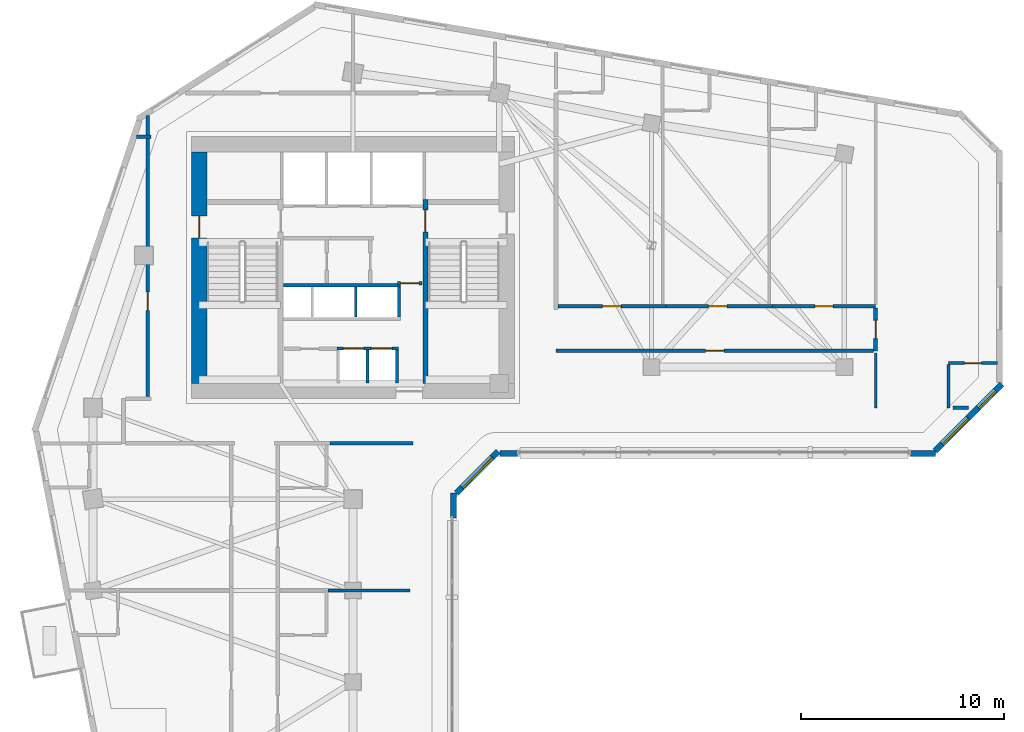
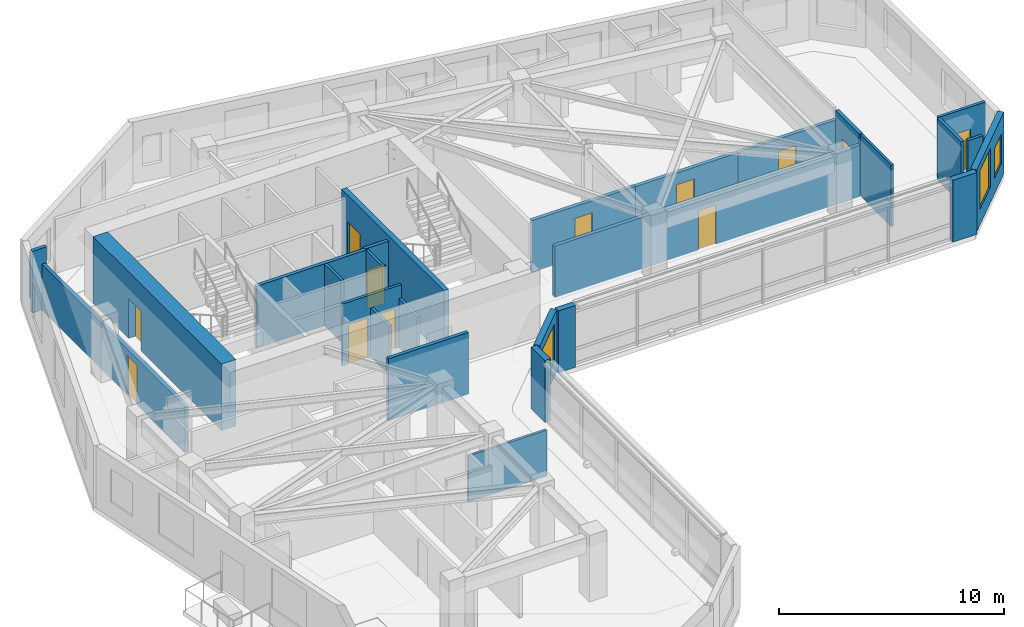
# One storey, part 6 of 11: 27 walls, 12 doors, 3 windows, 15 openings.
"""IFC4 building model written with IfcOpenShell, lengths in metres."""

from ifc_helpers import new_model, si_unit, direction, frame, frame_2d, origin, place, context, subcontext, project, spatial, rectangle, extrude, source, transform, mapped, material, layer, layer_set, type_object, element, fill, save


model = new_model("IFC4")

# Units and contexts
model_context = context("Model", 3, precision=1e-05, world=origin(), true_north=direction((0.0, 1.0)))
body_context = subcontext(model_context, "Body", "Model", "MODEL_VIEW")
ifc_project = project(units=[si_unit("LENGTHUNIT", "METRE"), si_unit("AREAUNIT", "SQUARE_METRE"), si_unit("VOLUMEUNIT", "CUBIC_METRE"), si_unit("PLANEANGLEUNIT", "RADIAN"), si_unit("MASSUNIT", "GRAM", prefix="KILO")], contexts=[model_context])

# Site, building, storey
site_placement = place(None, origin())
site = spatial("IfcSite", under=ifc_project, at=site_placement, CompositionType="ELEMENT")
building_placement = place(site_placement, origin())
building = spatial("IfcBuilding", under=site, at=building_placement, Name="Calvemar Wedge Station Tower", CompositionType="ELEMENT")
storey_placement = place(building_placement, frame((0.0, 0.0, 114.199951171875)))
storey = spatial("IfcBuildingStorey", under=building, at=storey_placement, Name="L27", CompositionType="ELEMENT", Elevation=114.199951171875)

# Wall, opening, door
ifc_material_1 = material(Name="Concrete C50", Category="concrete")
ifc_layer_1 = layer(ifc_material_1, 0.260009765625)
ifc_layer_set_1 = layer_set([ifc_layer_1], Name="Concrete C50")
wall_type_1 = type_object("IfcWallType", Name="SW-CORE-260", PredefinedType="SHEAR", material=ifc_layer_set_1)
wall_1_placement = place(storey_placement, frame((27.3701171875, 34.199951171875, 0.0), z_axis=(0.0, 0.0, 1.0), x_axis=(0.0, 1.0, 0.0)))
wall_1 = element("IfcWall", 1, at=wall_1_placement, inside=storey, type_object=wall_type_1, Name="Storey L27 Core Shear Wall SPINE-E", PredefinedType="SHEAR", context=body_context, shape_type="SweptSolid", body=[
    extrude(rectangle(XDim=9.06005859375, YDim=0.260009765625, at=frame_2d((4.530029296875, 0.0))), origin(), (0.0, 0.0, 1.0), 3.60009765625),
])
shared_shape_1 = source(origin(), body_context, "Body", "SweptSolid", [
    extrude(rectangle(XDim=1.10009765625, YDim=2.14990234375, at=frame_2d((0.550048828125, 1.074951171875))), frame((0.0, 0.14013671875, 0.0), z_axis=(0.0, -1.0, 0.0), x_axis=(1.0, 0.0, 0.0)), (0.0, 0.0, 1.0), 0.280029296875),
])
opening_1_placement = place(wall_1_placement, frame((7.449951171875, 0.0, 0.0)))
opening_1 = element("IfcOpeningElement", 2, at=opening_1_placement, cuts=wall_1, Name="Opening FD-90", PredefinedType="OPENING", context=body_context, shape_type="MappedRepresentation", body=[
    mapped(shared_shape_1, transform((0.0, 0.0, 0.0), scale=1.0)),
])
ifc_material_2 = material(Name="Galvanized fire-rated steel door leaf P-90", Category="steel")
door_type_1 = type_object("IfcDoorType", Name="DR-FD90-1100", OperationType="NOTDEFINED", PredefinedType="DOOR", material=ifc_material_2)
shared_shape_2 = source(origin(), body_context, "Body", "SweptSolid", [
    extrude(rectangle(XDim=1.10009765625, YDim=2.14990234375, at=frame_2d((0.550048828125, 1.074951171875))), frame((0.0, 0.02490234375, 0.0), z_axis=(0.0, -1.0, 0.0), x_axis=(1.0, 0.0, 0.0)), (0.0, 0.0, 1.0), 0.050048828125),
])
door_1_placement = place(opening_1_placement, origin())
door_1 = element("IfcDoor", 3, at=door_1_placement, inside=storey, type_object=door_type_1, Name="L27 FF Lobby to Stair ST-C2 Door", OperationType="SINGLE_SWING_LEFT", OverallHeight=2.14990234375, OverallWidth=1.10009765625, PredefinedType="DOOR", context=body_context, shape_type="MappedRepresentation", body=[
    mapped(shared_shape_2, transform((0.0, 0.0, 0.0), scale=1.0)),
])
fill(opening_1, door_1)

ifc_material_3 = material(Name="Concrete C70", Category="concrete")
ifc_layer_2 = layer(ifc_material_3, 0.75)
ifc_layer_set_2 = layer_set([ifc_layer_2], Name="Concrete C70")
wall_type_2 = type_object("IfcWallType", Name="SW-CORE-750", PredefinedType="SHEAR", material=ifc_layer_set_2)
wall_2_placement = place(storey_placement, frame((16.22509765625, 34.199951171875, 0.0), z_axis=(0.0, 0.0, 1.0), x_axis=(0.0, 1.0, 0.0)))
wall_2 = element("IfcWall", 4, at=wall_2_placement, inside=storey, type_object=wall_type_2, Name="Storey L27 Core Shear Wall W", PredefinedType="SHEAR", context=body_context, shape_type="SweptSolid", body=[
    extrude(rectangle(XDim=11.400146484375, YDim=0.75, at=frame_2d((5.7001953125, 0.0))), origin(), (0.0, 0.0, 1.0), 3.60009765625),
])
shared_shape_3 = source(origin(), body_context, "Body", "SweptSolid", [
    extrude(rectangle(XDim=1.10009765625, YDim=2.14990234375, at=frame_2d((0.550048828125, 1.074951171875))), frame((0.0, 0.385009765625, 0.0), z_axis=(0.0, -1.0, 0.0), x_axis=(1.0, 0.0, 0.0)), (0.0, 0.0, 1.0), 0.77001953125),
])
opening_2_placement = place(wall_2_placement, frame((7.14990234375, 0.0, 0.0)))
opening_2 = element("IfcOpeningElement", 5, at=opening_2_placement, cuts=wall_2, Name="Opening FD-90", PredefinedType="OPENING", context=body_context, shape_type="MappedRepresentation", body=[
    mapped(shared_shape_3, transform((0.0, 0.0, 0.0), scale=1.0)),
])
door_2_placement = place(opening_2_placement, origin())
door_2 = element("IfcDoor", 6, at=door_2_placement, inside=storey, type_object=door_type_1, Name="L27 West Corridor to Exit Stair ST-C1 Door", OperationType="SINGLE_SWING_RIGHT", OverallHeight=2.14990234375, OverallWidth=1.10009765625, PredefinedType="DOOR", context=body_context, shape_type="MappedRepresentation", body=[
    mapped(shared_shape_2, transform((0.0, 0.0, 0.0), scale=1.0)),
])
fill(opening_2, door_2)

ifc_material_4 = material(Name="Double-stud fire-rated corridor partition")
ifc_layer_3 = layer(ifc_material_4, 0.179931640625)
ifc_layer_set_3 = layer_set([ifc_layer_3], Name="Double-stud fire-rated corridor partition")
wall_type_3 = type_object("IfcWallType", Name="W-CORR-180", PredefinedType="PARTITIONING", material=ifc_layer_set_3)
wall_3_placement = place(storey_placement, frame((27.199951171875, 39.1298828125, 0.0), z_axis=(0.0, 0.0, 1.0), x_axis=(-1.0, 0.0, 0.0)))
wall_3 = element("IfcWall", 7, at=wall_3_placement, inside=storey, type_object=wall_type_3, Name="Storey L27 Interior Partition WL-L27-005", PredefinedType="PARTITIONING", context=body_context, shape_type="SweptSolid", body=[
    extrude(rectangle(XDim=1.2099609375, YDim=0.179931640625, at=frame_2d((0.60498046875, 0.0))), origin(), (0.0, 0.0, 1.0), 3.35009765625),
])
shared_shape_4 = source(origin(), body_context, "Body", "SweptSolid", [
    extrude(rectangle(XDim=0.89990234375, YDim=2.14990234375, at=frame_2d((0.449951171875, 1.074951171875))), frame((0.0, 0.10009765625, 0.0), z_axis=(0.0, -1.0, 0.0), x_axis=(1.0, 0.0, 0.0)), (0.0, 0.0, 1.0), 0.199951171875),
])
opening_3_placement = place(wall_3_placement, frame((0.155029296875, 0.0, 0.0)))
opening_3 = element("IfcOpeningElement", 8, at=opening_3_placement, cuts=wall_3, Name="Opening FD-60", PredefinedType="OPENING", context=body_context, shape_type="MappedRepresentation", body=[
    mapped(shared_shape_4, transform((0.0, 0.0, 0.0), scale=1.0)),
])
ifc_material_5 = material(Name="Fire-rated acoustic timber-core entrance door EI 60", Category="wood")
door_type_2 = type_object("IfcDoorType", Name="DR-FD60-900", OperationType="NOTDEFINED", PredefinedType="DOOR", material=ifc_material_5)
shared_shape_5 = source(origin(), body_context, "Body", "SweptSolid", [
    extrude(rectangle(XDim=0.89990234375, YDim=2.14990234375, at=frame_2d((0.449951171875, 1.074951171875))), frame((0.0, 0.02490234375, 0.0), z_axis=(0.0, -1.0, 0.0), x_axis=(1.0, 0.0, 0.0)), (0.0, 0.0, 1.0), 0.050048828125),
])
door_3_placement = place(opening_3_placement, origin())
door_3 = element("IfcDoor", 9, at=door_3_placement, inside=storey, type_object=door_type_2, Name="L27 Core Service Lobby Door", OperationType="SINGLE_SWING_RIGHT", OverallHeight=2.14990234375, OverallWidth=0.89990234375, PredefinedType="DOOR", context=body_context, shape_type="MappedRepresentation", body=[
    mapped(shared_shape_5, transform((0.0, 0.0, 0.0), scale=1.0)),
])
fill(opening_3, door_3)

# Wall
wall_4_placement = place(storey_placement, frame((26.760009765625, 31.25, 0.0), z_axis=(0.0, 0.0, 1.0), x_axis=(-1.0, 0.0, 0.0)))
element("IfcWall", 10, at=wall_4_placement, inside=storey, type_object=wall_type_3, Name="Storey L27 Interior Partition WL-L27-011", PredefinedType="PARTITIONING", context=body_context, shape_type="SweptSolid", body=[
    extrude(rectangle(XDim=4.097900390625, YDim=0.179931640625, at=frame_2d((2.048828125, 0.0))), origin(), (0.0, 0.0, 1.0), 3.35009765625),
])

# Wall, opening, door
wall_5_placement = place(storey_placement, frame((13.699951171875, 33.5439453125, 0.0), z_axis=(0.0, 0.0, 1.0), x_axis=(0.0, 1.0, 0.0)))
wall_5 = element("IfcWall", 11, at=wall_5_placement, inside=storey, type_object=wall_type_3, Name="Storey L27 Interior Partition WL-L27-012", PredefinedType="PARTITIONING", context=body_context, shape_type="SweptSolid", body=[
    extrude(rectangle(XDim=13.860107421875, YDim=0.179931640625, at=frame_2d((6.93017578125, 0.0))), origin(), (0.0, 0.0, 1.0), 2.491943359375),
])
opening_4_placement = place(wall_5_placement, frame((4.252685546875, 0.0, 0.0)))
opening_4 = element("IfcOpeningElement", 12, at=opening_4_placement, cuts=wall_5, Name="Opening D-01", PredefinedType="OPENING", context=body_context, shape_type="MappedRepresentation", body=[
    mapped(shared_shape_4, transform((0.0, 0.0, 0.0), scale=1.0)),
])
ifc_material_6 = material(Name="Architectural hardwood acoustic swing door", Category="wood")
door_type_3 = type_object("IfcDoorType", Name="DR-INT-900", OperationType="NOTDEFINED", PredefinedType="DOOR", material=ifc_material_6)
shared_shape_6 = source(origin(), body_context, "Body", "SweptSolid", [
    extrude(rectangle(XDim=0.89990234375, YDim=2.14990234375, at=frame_2d((0.449951171875, 1.074951171875))), frame((0.0, 0.02490234375, 0.0), z_axis=(0.0, -1.0, 0.0), x_axis=(1.0, 0.0, 0.0)), (0.0, 0.0, 1.0), 0.050048828125),
])
door_4_placement = place(opening_4_placement, origin())
door_4 = element("IfcDoor", 13, at=door_4_placement, inside=storey, type_object=door_type_3, Name="L27 Executive Lounge Door", OperationType="SINGLE_SWING_RIGHT", OverallHeight=2.14990234375, OverallWidth=0.89990234375, PredefinedType="DOOR", context=body_context, shape_type="MappedRepresentation", body=[
    mapped(shared_shape_6, transform((0.0, 0.0, 0.0), scale=1.0)),
])
fill(opening_4, door_4)

# Wall
wall_6_placement = place(storey_placement, frame((13.860107421875, 46.35009765625, 0.0), z_axis=(0.0, 0.0, 1.0), x_axis=(-1.0, 0.0, 0.0)))
element("IfcWall", 14, at=wall_6_placement, inside=storey, type_object=wall_type_3, Name="Storey L27 Interior Partition WL-L27-013", PredefinedType="PARTITIONING", context=body_context, shape_type="SweptSolid", body=[
    extrude(rectangle(XDim=0.73486328125, YDim=0.179931640625, at=frame_2d((0.367431640625, 0.0))), origin(), (0.0, 0.0, 1.0), 3.35009765625),
])

# Wall, opening, door
wall_7_placement = place(storey_placement, frame((33.89404296875, 38.0, 0.0), z_axis=(0.0, 0.0, 1.0), x_axis=(1.0, 0.0, 0.0)))
wall_7 = element("IfcWall", 15, at=wall_7_placement, inside=storey, type_object=wall_type_3, Name="Storey L27 Interior Partition WL-L27-021", PredefinedType="PARTITIONING", context=body_context, shape_type="SweptSolid", body=[
    extrude(rectangle(XDim=5.31103515625, YDim=0.179931640625, at=frame_2d((2.655517578125, 0.0))), origin(), (0.0, 0.0, 1.0), 2.802978515625),
])
opening_5_placement = place(wall_7_placement, frame((2.20556640625, 0.0, 0.0)))
opening_5 = element("IfcOpeningElement", 16, at=opening_5_placement, cuts=wall_7, Name="Opening FD-60", PredefinedType="OPENING", context=body_context, shape_type="MappedRepresentation", body=[
    mapped(shared_shape_4, transform((0.0, 0.0, 0.0), scale=1.0)),
])
door_5_placement = place(opening_5_placement, origin())
door_5 = element("IfcDoor", 17, at=door_5_placement, inside=storey, type_object=door_type_2, Name="L27 Hotel Guest Room Door", OperationType="SINGLE_SWING_RIGHT", OverallHeight=2.14990234375, OverallWidth=0.89990234375, PredefinedType="DOOR", context=body_context, shape_type="MappedRepresentation", body=[
    mapped(shared_shape_5, transform((0.0, 0.0, 0.0), scale=1.0)),
])
fill(opening_5, door_5)

wall_8_placement = place(storey_placement, frame((39.20703125, 38.0, 0.0), z_axis=(0.0, 0.0, 1.0), x_axis=(1.0, 0.0, 0.0)))
wall_8 = element("IfcWall", 18, at=wall_8_placement, inside=storey, type_object=wall_type_3, Name="Storey L27 Interior Partition WL-L27-022", PredefinedType="PARTITIONING", context=body_context, shape_type="SweptSolid", body=[
    extrude(rectangle(XDim=5.242919921875, YDim=0.179931640625, at=frame_2d((2.62158203125, 0.0))), origin(), (0.0, 0.0, 1.0), 2.7880859375),
])
opening_6_placement = place(wall_8_placement, frame((2.110595703125, 0.0, 0.0)))
opening_6 = element("IfcOpeningElement", 19, at=opening_6_placement, cuts=wall_8, Name="Opening FD-60", PredefinedType="OPENING", context=body_context, shape_type="MappedRepresentation", body=[
    mapped(shared_shape_4, transform((0.0, 0.0, 0.0), scale=1.0)),
])
door_6_placement = place(opening_6_placement, origin())
door_6 = element("IfcDoor", 20, at=door_6_placement, inside=storey, type_object=door_type_2, Name="L27 Hotel Guest Room Door", OperationType="SINGLE_SWING_RIGHT", OverallHeight=2.14990234375, OverallWidth=0.89990234375, PredefinedType="DOOR", context=body_context, shape_type="MappedRepresentation", body=[
    mapped(shared_shape_5, transform((0.0, 0.0, 0.0), scale=1.0)),
])
fill(opening_6, door_6)

wall_9_placement = place(storey_placement, frame((44.451904296875, 38.0, 0.0), z_axis=(0.0, 0.0, 1.0), x_axis=(1.0, 0.0, 0.0)))
wall_9 = element("IfcWall", 21, at=wall_9_placement, inside=storey, type_object=wall_type_3, Name="Storey L27 Interior Partition WL-L27-023", PredefinedType="PARTITIONING", context=body_context, shape_type="SweptSolid", body=[
    extrude(rectangle(XDim=5.0830078125, YDim=0.179931640625, at=frame_2d((2.54150390625, 0.0))), origin(), (0.0, 0.0, 1.0), 2.802978515625),
])
opening_7_placement = place(wall_9_placement, frame((2.091552734375, 0.0, 0.0)))
opening_7 = element("IfcOpeningElement", 22, at=opening_7_placement, cuts=wall_9, Name="Opening FD-60", PredefinedType="OPENING", context=body_context, shape_type="MappedRepresentation", body=[
    mapped(shared_shape_4, transform((0.0, 0.0, 0.0), scale=1.0)),
])
door_7_placement = place(opening_7_placement, origin())
door_7 = element("IfcDoor", 23, at=door_7_placement, inside=storey, type_object=door_type_2, Name="L27 Hotel Guest Room Door", OperationType="SINGLE_SWING_RIGHT", OverallHeight=2.14990234375, OverallWidth=0.89990234375, PredefinedType="DOOR", context=body_context, shape_type="MappedRepresentation", body=[
    mapped(shared_shape_5, transform((0.0, 0.0, 0.0), scale=1.0)),
])
fill(opening_7, door_7)

wall_10_placement = place(storey_placement, frame((49.534912109375, 37.906005859375, 0.0), z_axis=(0.0, 0.0, 1.0), x_axis=(0.0, -1.0, 0.0)))
wall_10 = element("IfcWall", 24, at=wall_10_placement, inside=storey, type_object=wall_type_3, Name="Storey L27 Interior Partition WL-L27-024", PredefinedType="PARTITIONING", context=body_context, shape_type="SweptSolid", body=[
    extrude(rectangle(XDim=2.10595703125, YDim=0.179931640625, at=frame_2d((1.052978515625, 0.0))), origin(), (0.0, 0.0, 1.0), 3.35009765625),
])
opening_8_placement = place(wall_10_placement, frame((0.60302734375, 0.0, 0.0)))
opening_8 = element("IfcOpeningElement", 25, at=opening_8_placement, cuts=wall_10, Name="Opening FD-60", PredefinedType="OPENING", context=body_context, shape_type="MappedRepresentation", body=[
    mapped(shared_shape_4, transform((0.0, 0.0, 0.0), scale=1.0)),
])
door_8_placement = place(opening_8_placement, origin())
door_8 = element("IfcDoor", 26, at=door_8_placement, inside=storey, type_object=door_type_2, Name="L27 Hotel Suite Door", OperationType="SINGLE_SWING_RIGHT", OverallHeight=2.14990234375, OverallWidth=0.89990234375, PredefinedType="DOOR", context=body_context, shape_type="MappedRepresentation", body=[
    mapped(shared_shape_5, transform((0.0, 0.0, 0.0), scale=1.0)),
])
fill(opening_8, door_8)

wall_11_placement = place(storey_placement, frame((49.44091796875, 35.800048828125, 0.0), z_axis=(0.0, 0.0, 1.0), x_axis=(-1.0, 0.0, 0.0)))
wall_11 = element("IfcWall", 27, at=wall_11_placement, inside=storey, type_object=wall_type_3, Name="Storey L27 Interior Partition WL-L27-025", PredefinedType="PARTITIONING", context=body_context, shape_type="SweptSolid", body=[
    extrude(rectangle(XDim=15.640869140625, YDim=0.179931640625, at=frame_2d((7.8203125, 0.0))), origin(), (0.0, 0.0, 1.0), 2.7880859375),
])
opening_9_placement = place(wall_11_placement, frame((7.37060546875, 0.0, 0.0)))
opening_9 = element("IfcOpeningElement", 28, at=opening_9_placement, cuts=wall_11, Name="Opening D-01", PredefinedType="OPENING", context=body_context, shape_type="MappedRepresentation", body=[
    mapped(shared_shape_4, transform((0.0, 0.0, 0.0), scale=1.0)),
])
door_9_placement = place(opening_9_placement, origin())
door_9 = element("IfcDoor", 29, at=door_9_placement, inside=storey, type_object=door_type_3, Name="L27 Club Lounge Door", OperationType="SINGLE_SWING_LEFT", OverallHeight=2.14990234375, OverallWidth=0.89990234375, PredefinedType="DOOR", context=body_context, shape_type="MappedRepresentation", body=[
    mapped(shared_shape_6, transform((0.0, 0.0, 0.0), scale=1.0)),
])
fill(opening_9, door_9)

# Wall
ifc_material_7 = material(Name="Precast concrete C45", Category="concrete")
ifc_layer_4 = layer(ifc_material_7, 0.300048828125)
ifc_layer_set_4 = layer_set([ifc_layer_4], Name="Precast concrete C45")
wall_type_4 = type_object("IfcWallType", Name="W-EXT-GFRC-300", PredefinedType="SOLIDWALL", material=ifc_layer_set_4)
wall_12_placement = place(storey_placement, frame((28.74609375, 27.57666015625, 0.0), z_axis=(0.0, 0.0, 1.0), x_axis=(0.0, 1.0, 0.0)))
element("IfcWall", 30, at=wall_12_placement, inside=storey, type_object=wall_type_4, Name="Storey L27 Bronze GFRC Corner Pier 4B", PredefinedType="SOLIDWALL", context=body_context, shape_type="SweptSolid", body=[
    extrude(rectangle(XDim=1.2275390625, YDim=0.300048828125, at=frame_2d((0.61376953125, 0.0))), origin(), (0.0, 0.0, 1.0), 3.35009765625),
])

# Wall, opening, window
wall_13_placement = place(storey_placement, frame((28.884033203125, 28.7919921875, 0.0), z_axis=(0.0, 0.0, 1.0), x_axis=(0.707064797706, 0.707148762175, 0.0)))
wall_13 = element("IfcWall", 31, at=wall_13_placement, inside=storey, type_object=wall_type_4, Name="Storey L27 Bronze GFRC Exterior Wall 5", PredefinedType="SOLIDWALL", context=body_context, shape_type="SweptSolid", body=[
    extrude(rectangle(XDim=2.90771484375, YDim=0.300048828125, at=frame_2d((1.453857421875, 0.0))), origin(), (0.0, 0.0, 1.0), 3.35009765625),
])
shared_shape_7 = source(origin(), body_context, "Body", "SweptSolid", [
    extrude(rectangle(XDim=2.10009765625, YDim=2.0, at=frame_2d((1.050048828125, 1.0))), frame((0.0, 0.16015625, 0.0), z_axis=(0.0, -1.0, 0.0), x_axis=(1.0, 0.0, 0.0)), (0.0, 0.0, 1.0), 0.320068359375),
])
opening_10_placement = place(wall_13_placement, frame((0.404052734375, 0.0, 0.85009765625)))
opening_10 = element("IfcOpeningElement", 32, at=opening_10_placement, cuts=wall_13, Name="Opening W4", PredefinedType="OPENING", context=body_context, shape_type="MappedRepresentation", body=[
    mapped(shared_shape_7, transform((0.0, 0.0, 0.0), scale=1.0)),
])
ifc_material_8 = material(Name="Low-E laminated insulated glass", Category="glass")
window_type_1 = type_object("IfcWindowType", Name="WIN-EXT-4", PartitioningType="SINGLE_PANEL", PredefinedType="WINDOW", material=ifc_material_8)
shared_shape_8 = source(origin(), body_context, "Body", "SweptSolid", [
    extrude(rectangle(XDim=2.10009765625, YDim=2.0, at=frame_2d((1.050048828125, 1.0))), frame((0.0, -0.014892578125, 0.0), z_axis=(0.0, -1.0, 0.0), x_axis=(1.0, 0.0, 0.0)), (0.0, 0.0, 1.0), 0.06005859375),
])
window_1_placement = place(opening_10_placement, origin())
window_1 = element("IfcWindow", 33, at=window_1_placement, inside=storey, type_object=window_type_1, Name="Storey L27 Recessed Window 5.1", OverallHeight=2.0, OverallWidth=2.10009765625, PartitioningType="SINGLE_PANEL", PredefinedType="WINDOW", context=body_context, shape_type="MappedRepresentation", body=[
    mapped(shared_shape_8, transform((0.0, 0.0, 0.0), scale=1.0)),
])
fill(opening_10, window_1)

# Walls
wall_14_placement = place(storey_placement, frame((31.029052734375, 30.741943359375, 0.0), z_axis=(0.0, 0.0, 1.0), x_axis=(1.0, 0.0, 0.0)))
element("IfcWall", 34, at=wall_14_placement, inside=storey, type_object=wall_type_4, Name="Storey L27 Bronze GFRC Corner Pier 6A", PredefinedType="SOLIDWALL", context=body_context, shape_type="SweptSolid", body=[
    extrude(rectangle(XDim=0.88232421875, YDim=0.300048828125, at=frame_2d((0.441162109375, 0.0))), origin(), (0.0, 0.0, 1.0), 3.35009765625),
])
wall_15_placement = place(storey_placement, frame((51.260498046875, 30.741943359375, 0.0), z_axis=(0.0, 0.0, 1.0), x_axis=(1.0, 0.0, 0.0)))
element("IfcWall", 35, at=wall_15_placement, inside=storey, type_object=wall_type_4, Name="Storey L27 Bronze GFRC Corner Pier 6B", PredefinedType="SOLIDWALL", context=body_context, shape_type="SweptSolid", body=[
    extrude(rectangle(XDim=1.227294921875, YDim=0.300048828125, at=frame_2d((0.61376953125, 0.0))), origin(), (0.0, 0.0, 1.0), 3.35009765625),
])

# Wall, openings, windows
wall_16_placement = place(storey_placement, frame((52.475830078125, 30.8798828125, 0.0), z_axis=(0.0, 0.0, 1.0), x_axis=(0.707106781187, 0.707106781187, 0.0)))
wall_16 = element("IfcWall", 36, at=wall_16_placement, inside=storey, type_object=wall_type_4, Name="Storey L27 Bronze GFRC Exterior Wall 7", PredefinedType="SOLIDWALL", context=body_context, shape_type="SweptSolid", body=[
    extrude(rectangle(XDim=4.638916015625, YDim=0.300048828125, at=frame_2d((2.3193359375, 0.0))), origin(), (0.0, 0.0, 1.0), 3.35009765625),
])
shared_shape_9 = source(origin(), body_context, "Body", "SweptSolid", [
    extrude(rectangle(XDim=1.800048828125, YDim=2.10009765625, at=frame_2d((0.89990234375, 1.050048828125))), frame((0.0, 0.16015625, 0.0), z_axis=(0.0, -1.0, 0.0), x_axis=(1.0, 0.0, 0.0)), (0.0, 0.0, 1.0), 0.320068359375),
])
opening_11_placement = place(wall_16_placement, frame((0.48193359375, 0.0, 0.85009765625)))
opening_11 = element("IfcOpeningElement", 37, at=opening_11_placement, cuts=wall_16, Name="Opening W2", PredefinedType="OPENING", context=body_context, shape_type="MappedRepresentation", body=[
    mapped(shared_shape_9, transform((0.0, 0.0, 0.0), scale=1.0)),
])
shared_shape_10 = source(origin(), body_context, "Body", "SweptSolid", [
    extrude(rectangle(XDim=1.199951171875, YDim=1.60009765625, at=frame_2d((0.60009765625, 0.800048828125))), frame((0.0, 0.16015625, 0.0), z_axis=(0.0, -1.0, 0.0), x_axis=(1.0, 0.0, 0.0)), (0.0, 0.0, 1.0), 0.320068359375),
])
opening_12_placement = place(wall_16_placement, frame((3.0009765625, 0.0, 0.85009765625)))
opening_12 = element("IfcOpeningElement", 38, at=opening_12_placement, cuts=wall_16, Name="Opening W5", PredefinedType="OPENING", context=body_context, shape_type="MappedRepresentation", body=[
    mapped(shared_shape_10, transform((0.0, 0.0, 0.0), scale=1.0)),
])
window_type_2 = type_object("IfcWindowType", Name="WIN-EXT-2", PartitioningType="SINGLE_PANEL", PredefinedType="WINDOW", material=ifc_material_8)
shared_shape_11 = source(origin(), body_context, "Body", "SweptSolid", [
    extrude(rectangle(XDim=1.800048828125, YDim=2.10009765625, at=frame_2d((0.89990234375, 1.050048828125))), frame((0.0, -0.014892578125, 0.0), z_axis=(0.0, -1.0, 0.0), x_axis=(1.0, 0.0, 0.0)), (0.0, 0.0, 1.0), 0.06005859375),
])
window_2_placement = place(opening_11_placement, origin())
window_2 = element("IfcWindow", 39, at=window_2_placement, inside=storey, type_object=window_type_2, Name="Storey L27 Recessed Window 7.1", OverallHeight=2.10009765625, OverallWidth=1.800048828125, PartitioningType="SINGLE_PANEL", PredefinedType="WINDOW", context=body_context, shape_type="MappedRepresentation", body=[
    mapped(shared_shape_11, transform((0.0, 0.0, 0.0), scale=1.0)),
])
fill(opening_11, window_2)
window_type_3 = type_object("IfcWindowType", Name="WIN-EXT-5", PartitioningType="SINGLE_PANEL", PredefinedType="WINDOW", material=ifc_material_8)
shared_shape_12 = source(origin(), body_context, "Body", "SweptSolid", [
    extrude(rectangle(XDim=1.199951171875, YDim=1.60009765625, at=frame_2d((0.60009765625, 0.800048828125))), frame((0.0, -0.014892578125, 0.0), z_axis=(0.0, -1.0, 0.0), x_axis=(1.0, 0.0, 0.0)), (0.0, 0.0, 1.0), 0.06005859375),
])
window_3_placement = place(opening_12_placement, origin())
window_3 = element("IfcWindow", 40, at=window_3_placement, inside=storey, type_object=window_type_3, Name="Storey L27 Recessed Window 7.2", OverallHeight=1.60009765625, OverallWidth=1.199951171875, PartitioningType="SINGLE_PANEL", PredefinedType="WINDOW", context=body_context, shape_type="MappedRepresentation", body=[
    mapped(shared_shape_12, transform((0.0, 0.0, 0.0), scale=1.0)),
])
fill(opening_12, window_3)

# Wall, openings, doors
ifc_material_9 = material(Name="Reinforced concrete blockwork lift shaft wall", Category="masonry")
ifc_layer_5 = layer(ifc_material_9, 0.139892578125)
ifc_layer_set_5 = layer_set([ifc_layer_5], Name="Reinforced concrete blockwork lift shaft wall")
wall_type_5 = type_object("IfcWallType", Name="W-LIFT-160", PredefinedType="SOLIDWALL", material=ifc_layer_set_5)
wall_17_placement = place(storey_placement, frame((23.0, 35.919921875, 0.0), z_axis=(0.0, 0.0, 1.0), x_axis=(1.0, 0.0, 0.0)))
wall_17 = element("IfcWall", 41, at=wall_17_placement, inside=storey, type_object=wall_type_5, Name="Storey L27 South Passenger Lift Bank Front Wall", PredefinedType="SOLIDWALL", context=body_context, shape_type="SweptSolid", body=[
    extrude(rectangle(XDim=3.030029296875, YDim=0.139892578125, at=frame_2d((1.51513671875, 0.0))), origin(), (0.0, 0.0, 1.0), 3.35009765625),
])
shared_shape_13 = source(origin(), body_context, "Body", "SweptSolid", [
    extrude(rectangle(XDim=1.0, YDim=2.14990234375, at=frame_2d((0.5, 1.074951171875))), frame((0.0, 0.080078125, 0.0), z_axis=(0.0, -1.0, 0.0), x_axis=(1.0, 0.0, 0.0)), (0.0, 0.0, 1.0), 0.159912109375),
])
opening_13_placement = place(wall_17_placement, frame((0.320068359375, 0.0, 0.0)))
opening_13 = element("IfcOpeningElement", 42, at=opening_13_placement, cuts=wall_17, Name="Opening LD-PAX", PredefinedType="OPENING", context=body_context, shape_type="MappedRepresentation", body=[
    mapped(shared_shape_13, transform((0.0, 0.0, 0.0), scale=1.0)),
])
opening_14_placement = place(wall_17_placement, frame((1.7099609375, 0.0, 0.0)))
opening_14 = element("IfcOpeningElement", 43, at=opening_14_placement, cuts=wall_17, Name="Opening LD-PAX", PredefinedType="OPENING", context=body_context, shape_type="MappedRepresentation", body=[
    mapped(shared_shape_13, transform((0.0, 0.0, 0.0), scale=1.0)),
])
ifc_material_10 = material(Name="Anodised bronze passenger lift sliding landing door")
door_type_4 = type_object("IfcDoorType", Name="DR-LD-PAX-1000", OperationType="SLIDING_TO_LEFT", PredefinedType="DOOR", material=ifc_material_10)
shared_shape_14 = source(origin(), body_context, "Body", "SweptSolid", [
    extrude(rectangle(XDim=1.0, YDim=2.14990234375, at=frame_2d((0.5, 1.074951171875))), frame((0.0, 0.02490234375, 0.0), z_axis=(0.0, -1.0, 0.0), x_axis=(1.0, 0.0, 0.0)), (0.0, 0.0, 1.0), 0.050048828125),
])
door_10_placement = place(opening_13_placement, origin())
door_10 = element("IfcDoor", 44, at=door_10_placement, inside=storey, type_object=door_type_4, Name="L27 Lift HL-01 Sliding Landing Door", OperationType="SLIDING_TO_LEFT", OverallHeight=2.14990234375, OverallWidth=1.0, PredefinedType="DOOR", context=body_context, shape_type="MappedRepresentation", body=[
    mapped(shared_shape_14, transform((0.0, 0.0, 0.0), scale=1.0)),
])
fill(opening_13, door_10)
door_11_placement = place(opening_14_placement, origin())
door_11 = element("IfcDoor", 45, at=door_11_placement, inside=storey, type_object=door_type_4, Name="L27 Lift HL-02 Sliding Landing Door", OperationType="SLIDING_TO_RIGHT", OverallHeight=2.14990234375, OverallWidth=1.0, PredefinedType="DOOR", context=body_context, shape_type="MappedRepresentation", body=[
    mapped(shared_shape_14, transform((0.0, 0.0, 0.0), scale=1.0)),
])
fill(opening_14, door_11)

# Walls
for number, where, z_axis, x_axis, name in (
    (46, (25.9599609375, 34.219970703125, 0.0), (0.0, 0.0, 1.0), (0.0, 1.0, 0.0), "Storey L27 South Passenger Lift Shaft Wall E"),
    (47, (24.514892578125, 34.219970703125, 0.0), (0.0, 0.0, 1.0), (0.0, 1.0, 0.0), "Storey L27 South Passenger Lift Shaft Wall D1"),
):
    element("IfcWall", number, at=place(storey_placement, frame(where, z_axis=z_axis, x_axis=x_axis)), inside=storey, type_object=wall_type_5, Name=name, PredefinedType="SOLIDWALL", context=body_context, shape_type="SweptSolid", body=[
        extrude(rectangle(XDim=1.6201171875, YDim=0.139892578125, at=frame_2d((0.81005859375, 0.0))), origin(), (0.0, 0.0, 1.0), 2.64208984375),
    ])
for number, where, z_axis, x_axis, name in (
    (48, (26.06005859375, 37.4599609375, 0.0), (0.0, 0.0, 1.0), (0.0, 1.0, 0.0), "Storey L27 Upper Passenger Lift Shaft Wall E"),
    (49, (23.93505859375, 37.4599609375, 0.0), (0.0, 0.0, 1.0), (0.0, 1.0, 0.0), "Storey L27 Upper Passenger Lift Shaft Wall D2"),
):
    element("IfcWall", number, at=place(storey_placement, frame(where, z_axis=z_axis, x_axis=x_axis)), inside=storey, type_object=wall_type_5, Name=name, PredefinedType="SOLIDWALL", context=body_context, shape_type="SweptSolid", body=[
        extrude(rectangle(XDim=1.47998046875, YDim=0.139892578125, at=frame_2d((0.739990234375, 0.0))), origin(), (0.0, 0.0, 1.0), 3.35009765625),
    ])
ifc_material_11 = material(Name="Insulated acoustic gypsum stud partition")
ifc_layer_6 = layer(ifc_material_11, 0.125)
ifc_layer_set_6 = layer_set([ifc_layer_6], Name="Insulated acoustic gypsum stud partition")
wall_type_6 = type_object("IfcWallType", Name="W-PART-125", PredefinedType="PARTITIONING", material=ifc_layer_set_6)
wall_18_placement = place(storey_placement, frame((49.534912109375, 33.0, 0.0), z_axis=(0.0, 0.0, 1.0), x_axis=(0.0, 1.0, 0.0)))
element("IfcWall", 50, at=wall_18_placement, inside=storey, type_object=wall_type_6, Name="Storey L27 Interior Partition WL-L27-039", PredefinedType="PARTITIONING", context=body_context, shape_type="SweptSolid", body=[
    extrude(rectangle(XDim=2.7060546875, YDim=0.125, at=frame_2d((1.35302734375, 0.0))), origin(), (0.0, 0.0, 1.0), 3.35009765625),
])
wall_19_placement = place(storey_placement, frame((22.5791015625, 24.0, 0.0), z_axis=(0.0, 0.0, 1.0), x_axis=(1.0, 0.0, 0.0)))
element("IfcWall", 51, at=wall_19_placement, inside=storey, type_object=wall_type_6, Name="Storey L27 Interior Partition WL-L27-053", PredefinedType="PARTITIONING", context=body_context, shape_type="SweptSolid", body=[
    extrude(rectangle(XDim=4.02099609375, YDim=0.125, at=frame_2d((2.010498046875, 0.0))), origin(), (0.0, 0.0, 1.0), 2.491943359375),
])
ifc_material_12 = material(Name="Concrete blockwork and fireboard shaft wall", Category="masonry")
ifc_layer_7 = layer(ifc_material_12, 0.199951171875)
ifc_layer_set_7 = layer_set([ifc_layer_7], Name="Concrete blockwork and fireboard shaft wall")
wall_type_7 = type_object("IfcWallType", Name="W-SHAFT-200", PredefinedType="SOLIDWALL", material=ifc_layer_set_7)
wall_20_placement = place(storey_placement, frame((20.3798828125, 39.0400390625, 0.0), z_axis=(0.0, 0.0, 1.0), x_axis=(1.0, 0.0, 0.0)))
element("IfcWall", 52, at=wall_20_placement, inside=storey, type_object=wall_type_7, Name="Storey L27 Upper Passenger Lift Bank Rear Shaft Wall", PredefinedType="SOLIDWALL", context=body_context, shape_type="SweptSolid", body=[
    extrude(rectangle(XDim=5.75, YDim=0.179931640625, at=frame_2d((2.875, 0.0))), origin(), (0.0, 0.0, 1.0), 3.35009765625),
])

# Wall, opening, door
ifc_material_13 = material(Name="Moisture-resistant acoustic bathroom partition")
ifc_layer_8 = layer(ifc_material_13, 0.14990234375)
ifc_layer_set_8 = layer_set([ifc_layer_8], Name="Moisture-resistant acoustic bathroom partition")
wall_type_8 = type_object("IfcWallType", Name="W-WET-150", PredefinedType="PARTITIONING", material=ifc_layer_set_8)
wall_21_placement = place(storey_placement, frame((53.135009765625, 35.199951171875, 0.0), z_axis=(0.0, 0.0, 1.0), x_axis=(1.0, 0.0, 0.0)))
wall_21 = element("IfcWall", 53, at=wall_21_placement, inside=storey, type_object=wall_type_8, Name="Storey L27 Interior Partition WL-L27-037", PredefinedType="PARTITIONING", context=body_context, shape_type="SweptSolid", body=[
    extrude(rectangle(XDim=2.39990234375, YDim=0.14990234375, at=frame_2d((1.199951171875, 0.0))), origin(), (0.0, 0.0, 1.0), 3.35009765625),
])
shared_shape_15 = source(origin(), body_context, "Body", "SweptSolid", [
    extrude(rectangle(XDim=0.85009765625, YDim=2.14990234375, at=frame_2d((0.425048828125, 1.074951171875))), frame((0.0, 0.0849609375, 0.0), z_axis=(0.0, -1.0, 0.0), x_axis=(1.0, 0.0, 0.0)), (0.0, 0.0, 1.0), 0.169921875),
])
opening_15_placement = place(wall_21_placement, frame((0.77490234375, 0.0, 0.0)))
opening_15 = element("IfcOpeningElement", 54, at=opening_15_placement, cuts=wall_21, Name="Opening D-02", PredefinedType="OPENING", context=body_context, shape_type="MappedRepresentation", body=[
    mapped(shared_shape_15, transform((0.0, 0.0, 0.0), scale=1.0)),
])
ifc_material_14 = material(Name="Moisture-sealed bathroom hardwood swing door", Category="wood")
door_type_5 = type_object("IfcDoorType", Name="DR-WET-850", OperationType="NOTDEFINED", PredefinedType="DOOR", material=ifc_material_14)
shared_shape_16 = source(origin(), body_context, "Body", "SweptSolid", [
    extrude(rectangle(XDim=0.85009765625, YDim=2.14990234375, at=frame_2d((0.425048828125, 1.074951171875))), frame((0.0, 0.02490234375, 0.0), z_axis=(0.0, -1.0, 0.0), x_axis=(1.0, 0.0, 0.0)), (0.0, 0.0, 1.0), 0.050048828125),
])
door_12_placement = place(opening_15_placement, origin())
door_12 = element("IfcDoor", 55, at=door_12_placement, inside=storey, type_object=door_type_5, Name="L27 En-Suite Bathroom Door", OperationType="SINGLE_SWING_LEFT", OverallHeight=2.14990234375, OverallWidth=0.85009765625, PredefinedType="DOOR", context=body_context, shape_type="MappedRepresentation", body=[
    mapped(shared_shape_16, transform((0.0, 0.0, 0.0), scale=1.0)),
])
fill(opening_15, door_12)

# Walls
wall_22_placement = place(storey_placement, frame((53.135009765625, 33.0, 0.0), z_axis=(0.0, 0.0, 1.0), x_axis=(0.0, 1.0, 0.0)))
element("IfcWall", 56, at=wall_22_placement, inside=storey, type_object=wall_type_8, Name="Storey L27 Interior Partition WL-L27-038", PredefinedType="PARTITIONING", context=body_context, shape_type="SweptSolid", body=[
    extrude(rectangle(XDim=2.12109375, YDim=0.14990234375, at=frame_2d((1.060546875, 0.0))), origin(), (0.0, 0.0, 1.0), 3.35009765625),
])
wall_23_placement = place(storey_placement, frame((54.1220703125, 33.0, 0.0), z_axis=(0.0, 0.0, 1.0), x_axis=(-1.0, 0.0, 0.0)))
element("IfcWall", 57, at=wall_23_placement, inside=storey, type_object=wall_type_8, Name="Storey L27 Bathroom Enclosure Wall WL-L27-060", PredefinedType="PARTITIONING", context=body_context, shape_type="SweptSolid", body=[
    extrude(rectangle(XDim=0.76708984375, YDim=0.14990234375, at=frame_2d((0.383544921875, 0.0))), origin(), (0.0, 0.0, 1.0), 3.35009765625),
])

save(model, "model.ifc")
